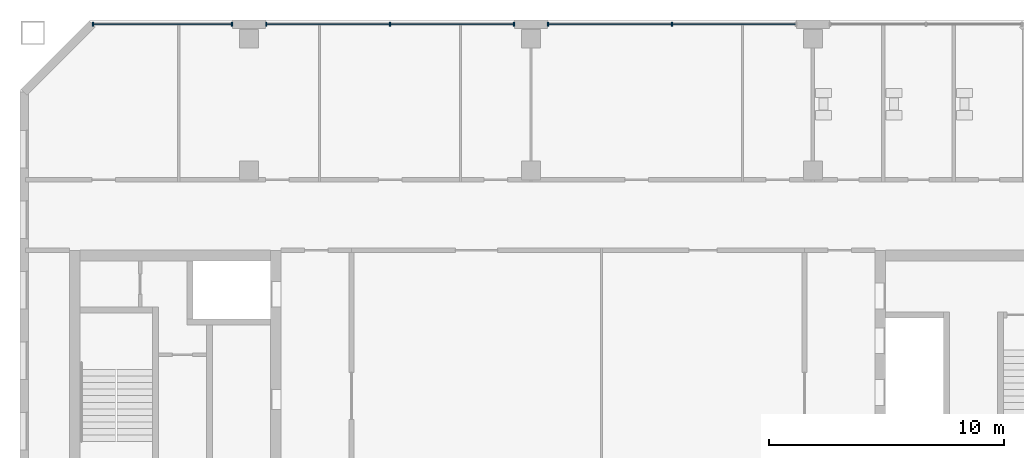
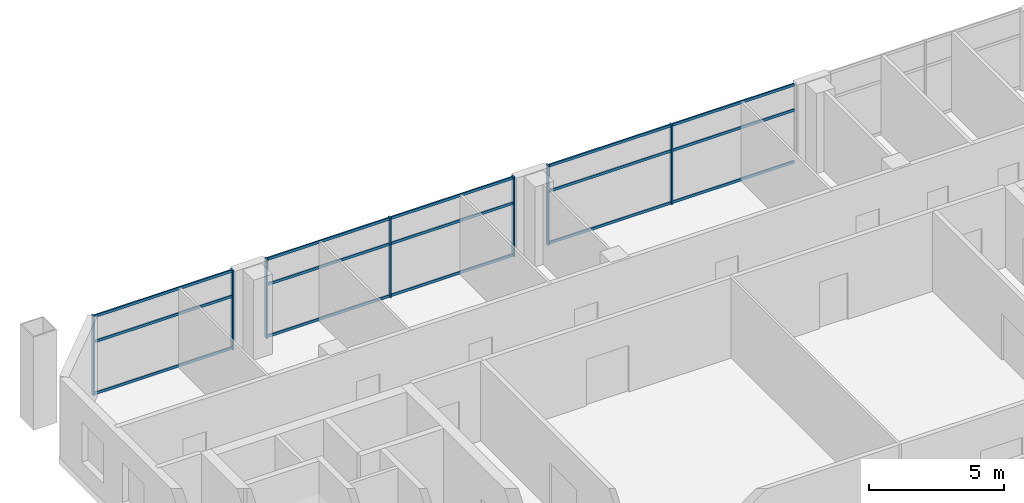
# One storey, part 3 of 19: 22 members, 3 elements without a shape of their own.
"""IFC4 building model written with IfcOpenShell, lengths in metres."""

from ifc_helpers import new_model, si_unit, direction, frame, origin, origin_2d, place, context, subcontext, project, spatial, rectangle, extrude, material, material_profile, profile_set, type_object, element, aggregate, save


model = new_model("IFC4")

# Units and contexts
model_context = context("Model", 3, precision=1e-05, world=origin(), true_north=direction((0.0, 1.0)))
body_context = subcontext(model_context, "Body", "Model", "MODEL_VIEW")
ifc_project = project(units=[si_unit("LENGTHUNIT", "METRE"), si_unit("AREAUNIT", "SQUARE_METRE"), si_unit("VOLUMEUNIT", "CUBIC_METRE"), si_unit("PLANEANGLEUNIT", "RADIAN"), si_unit("MASSUNIT", "GRAM", prefix="KILO")], contexts=[model_context])

# Site, building, storey
site_placement = place(None, origin())
site = spatial("IfcSite", under=ifc_project, at=site_placement, CompositionType="ELEMENT")
building_placement = place(site_placement, origin())
building = spatial("IfcBuilding", under=site, at=building_placement, Name="Tuart Gate Housing", CompositionType="ELEMENT")
storey_placement = place(building_placement, frame((0.0, 0.0, 171.60009765625)))
storey = spatial("IfcBuildingStorey", under=building, at=storey_placement, Name="L48", CompositionType="ELEMENT", Elevation=171.60009765625)

# Curtain wall, members
ifc_material_1 = material(Name="Aluminium and clear glass", Category="aluminium")
curtain_wall_type = type_object("IfcCurtainWallType", Name="Community floor glazing", PredefinedType="USERDEFINED", material=ifc_material_1)
curtain_wall_1_placement = place(storey_placement, origin())
curtain_wall_1 = element("IfcCurtainWall", 1, at=curtain_wall_1_placement, inside=storey, type_object=curtain_wall_type, Name="Community floor glazing A-N L48", ObjectType="COMMUNITY FLOOR GLAZING", PredefinedType="USERDEFINED")
ifc_material_2 = material(Name="Anodised aluminium", Category="aluminium")
ifc_material_profile_1 = material_profile(ifc_material_2, rectangle(XDim=0.06005859375, YDim=0.159912109375, at=origin_2d()), Name="60x160")
ifc_profile_set_1 = profile_set([ifc_material_profile_1], Name="Anodised aluminium")
member_type_1 = type_object("IfcMemberType", Name="Mullion 60 x 160", PredefinedType="MULLION", material=ifc_profile_set_1)
member_1_placement = place(storey_placement, frame((58.0, 85.820068359375, 0.0), z_axis=(0.0, 0.0, 1.0), x_axis=(-1.0, 0.0, 0.0)))
member_1 = element("IfcMember", 2, at=member_1_placement, type_object=member_type_1, Name="CW3 mullion 2", PredefinedType="MULLION", context=body_context, shape_type="SweptSolid", body=[
    extrude(rectangle(XDim=0.06005859375, YDim=0.159912109375, at=origin_2d()), origin(), (0.0, 0.0, 1.0), 3.599853515625),
])
member_2_placement = place(storey_placement, frame((52.72998046875, 85.820068359375, 0.0), z_axis=(0.0, 0.0, 1.0), x_axis=(-1.0, 0.0, 0.0)))
member_2 = element("IfcMember", 3, at=member_2_placement, type_object=member_type_1, Name="CW3 mullion 3", PredefinedType="MULLION", context=body_context, shape_type="SweptSolid", body=[
    extrude(rectangle(XDim=0.06005859375, YDim=0.159912109375, at=origin_2d()), origin(), (0.0, 0.0, 1.0), 3.599853515625),
])

curtain_wall_2_placement = place(storey_placement, origin())
curtain_wall_2 = element("IfcCurtainWall", 4, at=curtain_wall_2_placement, inside=storey, type_object=curtain_wall_type, Name="Community floor glazing A-N L48", ObjectType="COMMUNITY FLOOR GLAZING", PredefinedType="USERDEFINED")
member_3_placement = place(storey_placement, frame((51.27001953125, 85.820068359375, 0.0), z_axis=(0.0, 0.0, 1.0), x_axis=(-1.0, 0.0, 0.0)))
member_3 = element("IfcMember", 5, at=member_3_placement, type_object=member_type_1, Name="CW3 mullion 1", PredefinedType="MULLION", context=body_context, shape_type="SweptSolid", body=[
    extrude(rectangle(XDim=0.06005859375, YDim=0.159912109375, at=origin_2d()), origin(), (0.0, 0.0, 1.0), 3.599853515625),
])
member_4_placement = place(storey_placement, frame((46.0, 85.820068359375, 0.0), z_axis=(0.0, 0.0, 1.0), x_axis=(-1.0, 0.0, 0.0)))
member_4 = element("IfcMember", 6, at=member_4_placement, type_object=member_type_1, Name="CW3 mullion 2", PredefinedType="MULLION", context=body_context, shape_type="SweptSolid", body=[
    extrude(rectangle(XDim=0.06005859375, YDim=0.159912109375, at=origin_2d()), origin(), (0.0, 0.0, 1.0), 3.599853515625),
])
member_5_placement = place(storey_placement, frame((40.72998046875, 85.820068359375, 0.0), z_axis=(0.0, 0.0, 1.0), x_axis=(-1.0, 0.0, 0.0)))
member_5 = element("IfcMember", 7, at=member_5_placement, type_object=member_type_1, Name="CW3 mullion 3", PredefinedType="MULLION", context=body_context, shape_type="SweptSolid", body=[
    extrude(rectangle(XDim=0.06005859375, YDim=0.159912109375, at=origin_2d()), origin(), (0.0, 0.0, 1.0), 3.599853515625),
])

curtain_wall_3_placement = place(storey_placement, origin())
curtain_wall_3 = element("IfcCurtainWall", 8, at=curtain_wall_3_placement, inside=storey, type_object=curtain_wall_type, Name="Community floor glazing A-N L48", ObjectType="COMMUNITY FLOOR GLAZING", PredefinedType="USERDEFINED")
member_6_placement = place(storey_placement, frame((39.27001953125, 85.820068359375, 0.0), z_axis=(0.0, 0.0, 1.0), x_axis=(-1.0, 0.0, 0.0)))
member_6 = element("IfcMember", 9, at=member_6_placement, type_object=member_type_1, Name="CW3 mullion 1", PredefinedType="MULLION", context=body_context, shape_type="SweptSolid", body=[
    extrude(rectangle(XDim=0.06005859375, YDim=0.159912109375, at=origin_2d()), origin(), (0.0, 0.0, 1.0), 3.599853515625),
])
member_7_placement = place(storey_placement, frame((33.3544921875, 85.820068359375, 0.0), z_axis=(0.0, 0.0, 1.0), x_axis=(-1.0, 0.0, 0.0)))
member_7 = element("IfcMember", 10, at=member_7_placement, type_object=member_type_1, Name="CW3 mullion 2", PredefinedType="MULLION", context=body_context, shape_type="SweptSolid", body=[
    extrude(rectangle(XDim=0.06005859375, YDim=0.159912109375, at=origin_2d()), origin(), (0.0, 0.0, 1.0), 3.599853515625),
])

# Member
ifc_material_3 = material(Name="Anodised aluminium", Category="aluminium")
ifc_material_profile_2 = material_profile(ifc_material_3, rectangle(XDim=0.06005859375, YDim=0.1201171875, at=origin_2d()), Name="60x120")
ifc_profile_set_2 = profile_set([ifc_material_profile_2], Name="Anodised aluminium")
member_type_2 = type_object("IfcMemberType", Name="Transom 60 x 120", PredefinedType="USERDEFINED", material=ifc_profile_set_2)
member_8_placement = place(storey_placement, frame((63.239990234375, 85.820068359375, 0.059814453125), z_axis=(-1.0, 0.0, 0.0), x_axis=(0.0, -1.0, 0.0)))
member_8 = element("IfcMember", 11, at=member_8_placement, type_object=member_type_2, Name="CW3 transom 1.1", ObjectType="TRANSOM", PredefinedType="USERDEFINED", context=body_context, shape_type="SweptSolid", body=[
    extrude(rectangle(XDim=0.06005859375, YDim=0.1201171875, at=origin_2d()), origin(), (0.0, 0.0, 1.0), 5.2099609375),
])

member_9_placement = place(storey_placement, frame((63.239990234375, 85.820068359375, 2.39990234375), z_axis=(-1.0, 0.0, 0.0), x_axis=(0.0, -1.0, 0.0)))
member_9 = element("IfcMember", 12, at=member_9_placement, type_object=member_type_2, Name="CW3 transom 1.2", ObjectType="TRANSOM", PredefinedType="USERDEFINED", context=body_context, shape_type="SweptSolid", body=[
    extrude(rectangle(XDim=0.06005859375, YDim=0.1201171875, at=origin_2d()), origin(), (0.0, 0.0, 1.0), 5.2099609375),
])

member_10_placement = place(storey_placement, frame((63.239990234375, 85.820068359375, 3.539794921875), z_axis=(-1.0, 0.0, 0.0), x_axis=(0.0, -1.0, 0.0)))
member_10 = element("IfcMember", 13, at=member_10_placement, type_object=member_type_2, Name="CW3 transom 1.3", ObjectType="TRANSOM", PredefinedType="USERDEFINED", context=body_context, shape_type="SweptSolid", body=[
    extrude(rectangle(XDim=0.06005859375, YDim=0.1201171875, at=origin_2d()), origin(), (0.0, 0.0, 1.0), 5.2099609375),
])

member_11_placement = place(storey_placement, frame((57.969970703125, 85.820068359375, 0.059814453125), z_axis=(-1.0, 0.0, 0.0), x_axis=(0.0, -1.0, 0.0)))
member_11 = element("IfcMember", 14, at=member_11_placement, type_object=member_type_2, Name="CW3 transom 2.1", ObjectType="TRANSOM", PredefinedType="USERDEFINED", context=body_context, shape_type="SweptSolid", body=[
    extrude(rectangle(XDim=0.06005859375, YDim=0.1201171875, at=origin_2d()), origin(), (0.0, 0.0, 1.0), 5.2099609375),
])

member_12_placement = place(storey_placement, frame((57.969970703125, 85.820068359375, 2.39990234375), z_axis=(-1.0, 0.0, 0.0), x_axis=(0.0, -1.0, 0.0)))
member_12 = element("IfcMember", 15, at=member_12_placement, type_object=member_type_2, Name="CW3 transom 2.2", ObjectType="TRANSOM", PredefinedType="USERDEFINED", context=body_context, shape_type="SweptSolid", body=[
    extrude(rectangle(XDim=0.06005859375, YDim=0.1201171875, at=origin_2d()), origin(), (0.0, 0.0, 1.0), 5.2099609375),
])

member_13_placement = place(storey_placement, frame((57.969970703125, 85.820068359375, 3.539794921875), z_axis=(-1.0, 0.0, 0.0), x_axis=(0.0, -1.0, 0.0)))
member_13 = element("IfcMember", 16, at=member_13_placement, type_object=member_type_2, Name="CW3 transom 2.3", ObjectType="TRANSOM", PredefinedType="USERDEFINED", context=body_context, shape_type="SweptSolid", body=[
    extrude(rectangle(XDim=0.06005859375, YDim=0.1201171875, at=origin_2d()), origin(), (0.0, 0.0, 1.0), 5.2099609375),
])

aggregate(curtain_wall_1, [member_1, member_2, member_8, member_9, member_10, member_11, member_12, member_13])

member_14_placement = place(storey_placement, frame((51.239990234375, 85.820068359375, 0.059814453125), z_axis=(-1.0, 0.0, 0.0), x_axis=(0.0, -1.0, 0.0)))
member_14 = element("IfcMember", 17, at=member_14_placement, type_object=member_type_2, Name="CW3 transom 1.1", ObjectType="TRANSOM", PredefinedType="USERDEFINED", context=body_context, shape_type="SweptSolid", body=[
    extrude(rectangle(XDim=0.06005859375, YDim=0.1201171875, at=origin_2d()), origin(), (0.0, 0.0, 1.0), 5.2099609375),
])

member_15_placement = place(storey_placement, frame((51.239990234375, 85.820068359375, 2.39990234375), z_axis=(-1.0, 0.0, 0.0), x_axis=(0.0, -1.0, 0.0)))
member_15 = element("IfcMember", 18, at=member_15_placement, type_object=member_type_2, Name="CW3 transom 1.2", ObjectType="TRANSOM", PredefinedType="USERDEFINED", context=body_context, shape_type="SweptSolid", body=[
    extrude(rectangle(XDim=0.06005859375, YDim=0.1201171875, at=origin_2d()), origin(), (0.0, 0.0, 1.0), 5.2099609375),
])

member_16_placement = place(storey_placement, frame((51.239990234375, 85.820068359375, 3.539794921875), z_axis=(-1.0, 0.0, 0.0), x_axis=(0.0, -1.0, 0.0)))
member_16 = element("IfcMember", 19, at=member_16_placement, type_object=member_type_2, Name="CW3 transom 1.3", ObjectType="TRANSOM", PredefinedType="USERDEFINED", context=body_context, shape_type="SweptSolid", body=[
    extrude(rectangle(XDim=0.06005859375, YDim=0.1201171875, at=origin_2d()), origin(), (0.0, 0.0, 1.0), 5.2099609375),
])

member_17_placement = place(storey_placement, frame((45.969970703125, 85.820068359375, 0.059814453125), z_axis=(-1.0, 0.0, 0.0), x_axis=(0.0, -1.0, 0.0)))
member_17 = element("IfcMember", 20, at=member_17_placement, type_object=member_type_2, Name="CW3 transom 2.1", ObjectType="TRANSOM", PredefinedType="USERDEFINED", context=body_context, shape_type="SweptSolid", body=[
    extrude(rectangle(XDim=0.06005859375, YDim=0.1201171875, at=origin_2d()), origin(), (0.0, 0.0, 1.0), 5.2099609375),
])

member_18_placement = place(storey_placement, frame((45.969970703125, 85.820068359375, 2.39990234375), z_axis=(-1.0, 0.0, 0.0), x_axis=(0.0, -1.0, 0.0)))
member_18 = element("IfcMember", 21, at=member_18_placement, type_object=member_type_2, Name="CW3 transom 2.2", ObjectType="TRANSOM", PredefinedType="USERDEFINED", context=body_context, shape_type="SweptSolid", body=[
    extrude(rectangle(XDim=0.06005859375, YDim=0.1201171875, at=origin_2d()), origin(), (0.0, 0.0, 1.0), 5.2099609375),
])

member_19_placement = place(storey_placement, frame((45.969970703125, 85.820068359375, 3.539794921875), z_axis=(-1.0, 0.0, 0.0), x_axis=(0.0, -1.0, 0.0)))
member_19 = element("IfcMember", 22, at=member_19_placement, type_object=member_type_2, Name="CW3 transom 2.3", ObjectType="TRANSOM", PredefinedType="USERDEFINED", context=body_context, shape_type="SweptSolid", body=[
    extrude(rectangle(XDim=0.06005859375, YDim=0.1201171875, at=origin_2d()), origin(), (0.0, 0.0, 1.0), 5.2099609375),
])

aggregate(curtain_wall_2, [member_3, member_4, member_5, member_14, member_15, member_16, member_17, member_18, member_19])

member_20_placement = place(storey_placement, frame((39.239990234375, 85.820068359375, 0.059814453125), z_axis=(-1.0, 0.0, 0.0), x_axis=(0.0, -1.0, 0.0)))
member_20 = element("IfcMember", 23, at=member_20_placement, type_object=member_type_2, Name="CW3 transom 1.1", ObjectType="TRANSOM", PredefinedType="USERDEFINED", context=body_context, shape_type="SweptSolid", body=[
    extrude(rectangle(XDim=0.06005859375, YDim=0.1201171875, at=origin_2d()), origin(), (0.0, 0.0, 1.0), 5.85546875),
])

member_21_placement = place(storey_placement, frame((39.239990234375, 85.820068359375, 2.39990234375), z_axis=(-1.0, 0.0, 0.0), x_axis=(0.0, -1.0, 0.0)))
member_21 = element("IfcMember", 24, at=member_21_placement, type_object=member_type_2, Name="CW3 transom 1.2", ObjectType="TRANSOM", PredefinedType="USERDEFINED", context=body_context, shape_type="SweptSolid", body=[
    extrude(rectangle(XDim=0.06005859375, YDim=0.1201171875, at=origin_2d()), origin(), (0.0, 0.0, 1.0), 5.85546875),
])

member_22_placement = place(storey_placement, frame((39.239990234375, 85.820068359375, 3.539794921875), z_axis=(-1.0, 0.0, 0.0), x_axis=(0.0, -1.0, 0.0)))
member_22 = element("IfcMember", 25, at=member_22_placement, type_object=member_type_2, Name="CW3 transom 1.3", ObjectType="TRANSOM", PredefinedType="USERDEFINED", context=body_context, shape_type="SweptSolid", body=[
    extrude(rectangle(XDim=0.06005859375, YDim=0.1201171875, at=origin_2d()), origin(), (0.0, 0.0, 1.0), 5.85546875),
])

aggregate(curtain_wall_3, [member_6, member_7, member_20, member_21, member_22])

save(model, "model.ifc")
